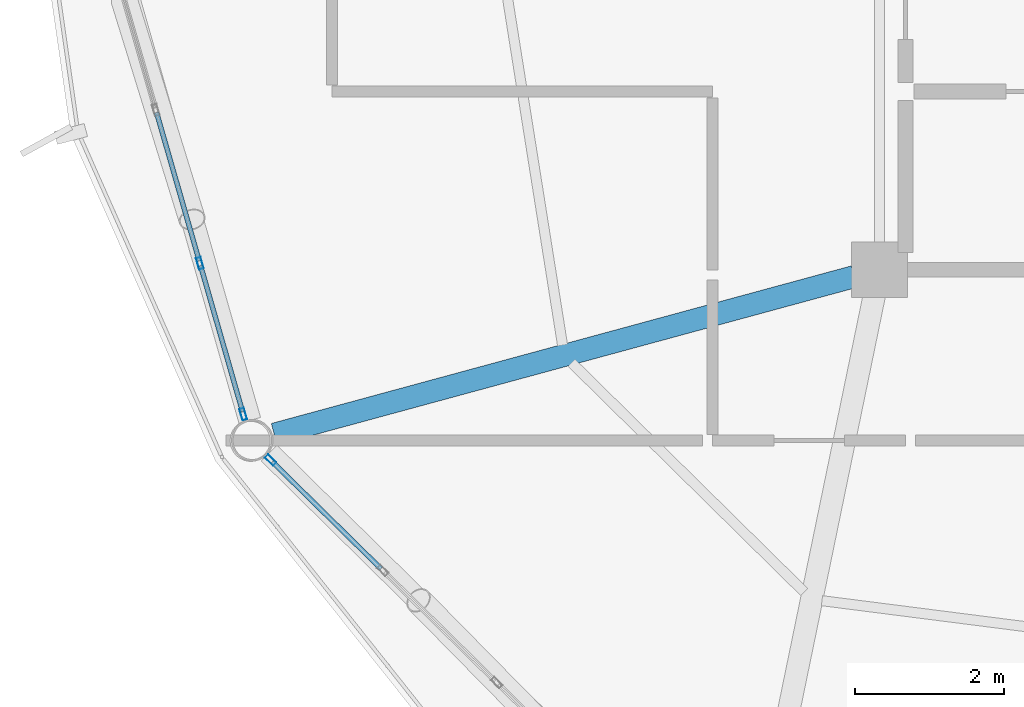
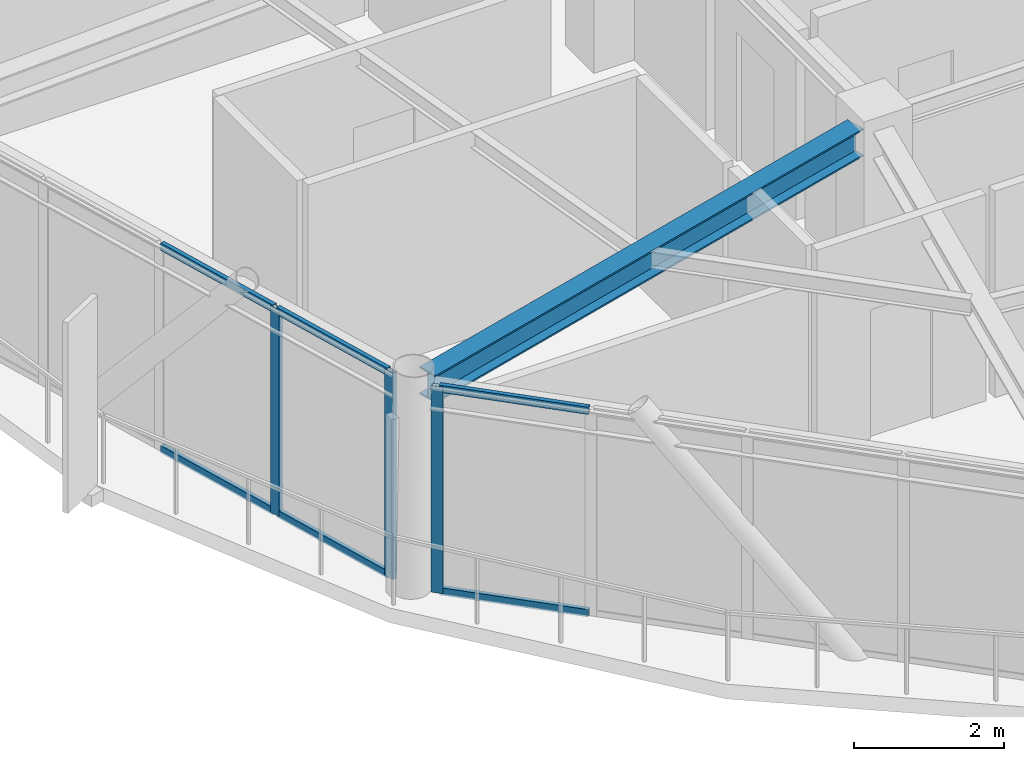
# One storey, part 4 of 27: 9 members, 1 beam, 2 elements without a shape of their own.
"""IFC4 building model written with IfcOpenShell, lengths in metres."""

from ifc_helpers import new_model, si_unit, direction, frame, origin, origin_2d, place, context, subcontext, project, spatial, hollow_rectangle, i_section, extrude, material, layer, layer_set, material_profile, profile_set, type_object, element, aggregate, save


model = new_model("IFC4")

# Units and contexts
model_context = context("Model", 3, precision=1e-05, world=origin(), true_north=direction((0.0, 1.0)))
body_context = subcontext(model_context, "Body", "Model", "MODEL_VIEW")
ifc_project = project(units=[si_unit("LENGTHUNIT", "METRE"), si_unit("AREAUNIT", "SQUARE_METRE"), si_unit("VOLUMEUNIT", "CUBIC_METRE"), si_unit("PLANEANGLEUNIT", "RADIAN"), si_unit("MASSUNIT", "GRAM", prefix="KILO")], contexts=[model_context])

# Site, building, storey
site_placement = place(None, origin())
site = spatial("IfcSite", under=ifc_project, at=site_placement, CompositionType="ELEMENT")
building_placement = place(site_placement, origin())
building = spatial("IfcBuilding", under=site, at=building_placement, Name="Varnakorn Sky Granary", CompositionType="ELEMENT")
storey_placement = place(building_placement, frame((0.0, 0.0, 263.39990234375)))
storey = spatial("IfcBuildingStorey", under=building, at=storey_placement, Name="L67", CompositionType="ELEMENT", Elevation=263.39990234375)

# Beam
ifc_material_1 = material(Name="Steel S355JR", Category="steel")
ifc_material_profile_1 = material_profile(ifc_material_1, i_section(OverallWidth=0.300048828125, OverallDepth=0.449951171875, WebThickness=0.013916015625, FlangeThickness=0.02587890625, at=origin_2d()), Name="HE 450 B")
ifc_profile_set_1 = profile_set([ifc_material_profile_1], Name="Steel S355JR")
beam_type = type_object("IfcBeamType", Name="BM-RAD-Z5", PredefinedType="BEAM", material=ifc_profile_set_1)
beam_placement = place(storey_placement, frame((-2.692626953125, -6.693115234375, 3.135009765625), z_axis=(-0.965017503384, -0.2621854652, 0.0), x_axis=(0.2621854652, -0.965017503384, 0.0)))
element("IfcBeam", 1, at=beam_placement, inside=storey, type_object=beam_type, Name="Radial Floor Girder RG08 L67", PredefinedType="BEAM", context=body_context, shape_type="SweptSolid", body=[
    extrude(i_section(OverallWidth=0.300048828125, OverallDepth=0.449951171875, WebThickness=0.013916015625, FlangeThickness=0.02587890625, at=origin_2d()), origin(), (0.0, 0.0, 1.0), 8.091796875),
])

# Curtain wall, members
ifc_material_2 = material(Name="Anodised Bronze Aluminium Alloy 6063-T6", Category="aluminium")
ifc_layer = layer(ifc_material_2, 0.159912109375, Name="Anodised Bronze Aluminium Alloy 6063-T6")
ifc_layer_set = layer_set([ifc_layer], Name="Anodised Bronze Aluminium Alloy 6063-T6")
curtain_wall_type = type_object("IfcCurtainWallType", Name="CW-OFF-1", PredefinedType="USERDEFINED", material=ifc_layer_set)
curtain_wall_1_placement = place(storey_placement, origin())
curtain_wall_1 = element("IfcCurtainWall", 2, at=curtain_wall_1_placement, inside=storey, type_object=curtain_wall_type, Name="Unitised Curtain Wall CW6 CW-L67-B07", ObjectType="CURTAIN WALL", PredefinedType="USERDEFINED")
ifc_material_profile_2 = material_profile(ifc_material_2, hollow_rectangle(XDim=0.06494140625, YDim=0.159912109375, WallThickness=0.00341796875, at=origin_2d()), Name="ALU MULL 65x160")
ifc_profile_set_2 = profile_set([ifc_material_profile_2], Name="Anodised Bronze Aluminium Alloy 6063-T6")
member_type_1 = type_object("IfcMemberType", Name="CW-OFF-1-MULL", PredefinedType="MULLION", material=ifc_profile_set_2)
member_1_placement = place(storey_placement, frame((-10.918212890625, -8.54345703125, 0.0), z_axis=(0.0, 0.0, 1.0), x_axis=(-0.961085237133, -0.276251999026, 0.0)))
member_1 = element("IfcMember", 3, at=member_1_placement, type_object=member_type_1, Name="CW6 mullion 1", PredefinedType="MULLION", context=body_context, shape_type="SweptSolid", body=[
    extrude(hollow_rectangle(XDim=0.06494140625, YDim=0.159912109375, WallThickness=0.00341796875, at=origin_2d()), origin(), (0.0, 0.0, 1.0), 3.360107421875),
])
member_2_placement = place(storey_placement, frame((-11.501953125, -6.5126953125, 0.0), z_axis=(0.0, 0.0, 1.0), x_axis=(-0.961085237133, -0.276251999026, 0.0)))
member_2 = element("IfcMember", 4, at=member_2_placement, type_object=member_type_1, Name="CW6 mullion 2", PredefinedType="MULLION", context=body_context, shape_type="SweptSolid", body=[
    extrude(hollow_rectangle(XDim=0.06494140625, YDim=0.159912109375, WallThickness=0.00341796875, at=origin_2d()), origin(), (0.0, 0.0, 1.0), 3.360107421875),
])

# Curtain wall, member
curtain_wall_2_placement = place(storey_placement, origin())
curtain_wall_2 = element("IfcCurtainWall", 5, at=curtain_wall_2_placement, inside=storey, type_object=curtain_wall_type, Name="Unitised Curtain Wall CW6 CW-L67-B08", ObjectType="CURTAIN WALL", PredefinedType="USERDEFINED")
member_3_placement = place(storey_placement, frame((-10.55029296875, -9.161865234375, 0.0), z_axis=(0.0, 0.0, 1.0), x_axis=(-0.701440030116, -0.71272847856, 0.0)))
member_3 = element("IfcMember", 6, at=member_3_placement, type_object=member_type_1, Name="CW6 mullion 5", PredefinedType="MULLION", context=body_context, shape_type="SweptSolid", body=[
    extrude(hollow_rectangle(XDim=0.06494140625, YDim=0.159912109375, WallThickness=0.00341796875, at=origin_2d()), origin(), (0.0, 0.0, 1.0), 3.360107421875),
])

# Member
ifc_material_profile_3 = material_profile(ifc_material_2, hollow_rectangle(XDim=0.06494140625, YDim=0.1201171875, WallThickness=0.00341796875, at=origin_2d()), Name="ALU TRAN 65x120")
ifc_profile_set_3 = profile_set([ifc_material_profile_3], Name="Anodised Bronze Aluminium Alloy 6063-T6")
member_type_2 = type_object("IfcMemberType", Name="CW-OFF-1-TRAN", PredefinedType="USERDEFINED", material=ifc_profile_set_3)
member_4_placement = place(storey_placement, frame((-10.92724609375, -8.51220703125, 0.03271484375), z_axis=(-0.276326693722, 0.961063763929, 0.0), x_axis=(-0.961063763929, -0.276326693722, 0.0)))
member_4 = element("IfcMember", 7, at=member_4_placement, type_object=member_type_2, Name="CW6 transom 1.1", ObjectType="TRANSOM", PredefinedType="USERDEFINED", context=body_context, shape_type="SweptSolid", body=[
    extrude(hollow_rectangle(XDim=0.06494140625, YDim=0.1201171875, WallThickness=0.00341796875, at=origin_2d()), origin(), (0.0, 0.0, 1.0), 2.048095703125),
])

member_5_placement = place(storey_placement, frame((-10.92724609375, -8.51220703125, 3.32763671875), z_axis=(-0.276326693722, 0.961063763929, 0.0), x_axis=(-0.961063763929, -0.276326693722, 0.0)))
member_5 = element("IfcMember", 8, at=member_5_placement, type_object=member_type_2, Name="CW6 transom 1.2", ObjectType="TRANSOM", PredefinedType="USERDEFINED", context=body_context, shape_type="SweptSolid", body=[
    extrude(hollow_rectangle(XDim=0.06494140625, YDim=0.1201171875, WallThickness=0.00341796875, at=origin_2d()), origin(), (0.0, 0.0, 1.0), 2.048095703125),
])

member_6_placement = place(storey_placement, frame((-11.510986328125, -6.4814453125, 0.03271484375), z_axis=(-0.276208528741, 0.961097731061, 0.0), x_axis=(-0.961097731061, -0.276208528741, 0.0)))
member_6 = element("IfcMember", 9, at=member_6_placement, type_object=member_type_2, Name="CW6 transom 2.1", ObjectType="TRANSOM", PredefinedType="USERDEFINED", context=body_context, shape_type="SweptSolid", body=[
    extrude(hollow_rectangle(XDim=0.06494140625, YDim=0.1201171875, WallThickness=0.00341796875, at=origin_2d()), origin(), (0.0, 0.0, 1.0), 2.080810546875),
])

member_7_placement = place(storey_placement, frame((-11.510986328125, -6.4814453125, 3.32763671875), z_axis=(-0.276208528741, 0.961097731061, 0.0), x_axis=(-0.961097731061, -0.276208528741, 0.0)))
member_7 = element("IfcMember", 10, at=member_7_placement, type_object=member_type_2, Name="CW6 transom 2.2", ObjectType="TRANSOM", PredefinedType="USERDEFINED", context=body_context, shape_type="SweptSolid", body=[
    extrude(hollow_rectangle(XDim=0.06494140625, YDim=0.1201171875, WallThickness=0.00341796875, at=origin_2d()), origin(), (0.0, 0.0, 1.0), 2.080810546875),
])

aggregate(curtain_wall_1, [member_1, member_2, member_4, member_5, member_6, member_7])

member_8_placement = place(storey_placement, frame((-9.0625, -10.626220703125, 0.03271484375), z_axis=(-0.712727628798, 0.701440893553, 0.0), x_axis=(-0.701440893553, -0.712727628798, 0.0)))
member_8 = element("IfcMember", 11, at=member_8_placement, type_object=member_type_2, Name="CW6 transom 4.1", ObjectType="TRANSOM", PredefinedType="USERDEFINED", context=body_context, shape_type="SweptSolid", body=[
    extrude(hollow_rectangle(XDim=0.06494140625, YDim=0.1201171875, WallThickness=0.00341796875, at=origin_2d()), origin(), (0.0, 0.0, 1.0), 2.054931640625),
])

member_9_placement = place(storey_placement, frame((-9.0625, -10.626220703125, 3.32763671875), z_axis=(-0.712727628798, 0.701440893553, 0.0), x_axis=(-0.701440893553, -0.712727628798, 0.0)))
member_9 = element("IfcMember", 12, at=member_9_placement, type_object=member_type_2, Name="CW6 transom 4.2", ObjectType="TRANSOM", PredefinedType="USERDEFINED", context=body_context, shape_type="SweptSolid", body=[
    extrude(hollow_rectangle(XDim=0.06494140625, YDim=0.1201171875, WallThickness=0.00341796875, at=origin_2d()), origin(), (0.0, 0.0, 1.0), 2.054931640625),
])

aggregate(curtain_wall_2, [member_3, member_8, member_9])

save(model, "model.ifc")
